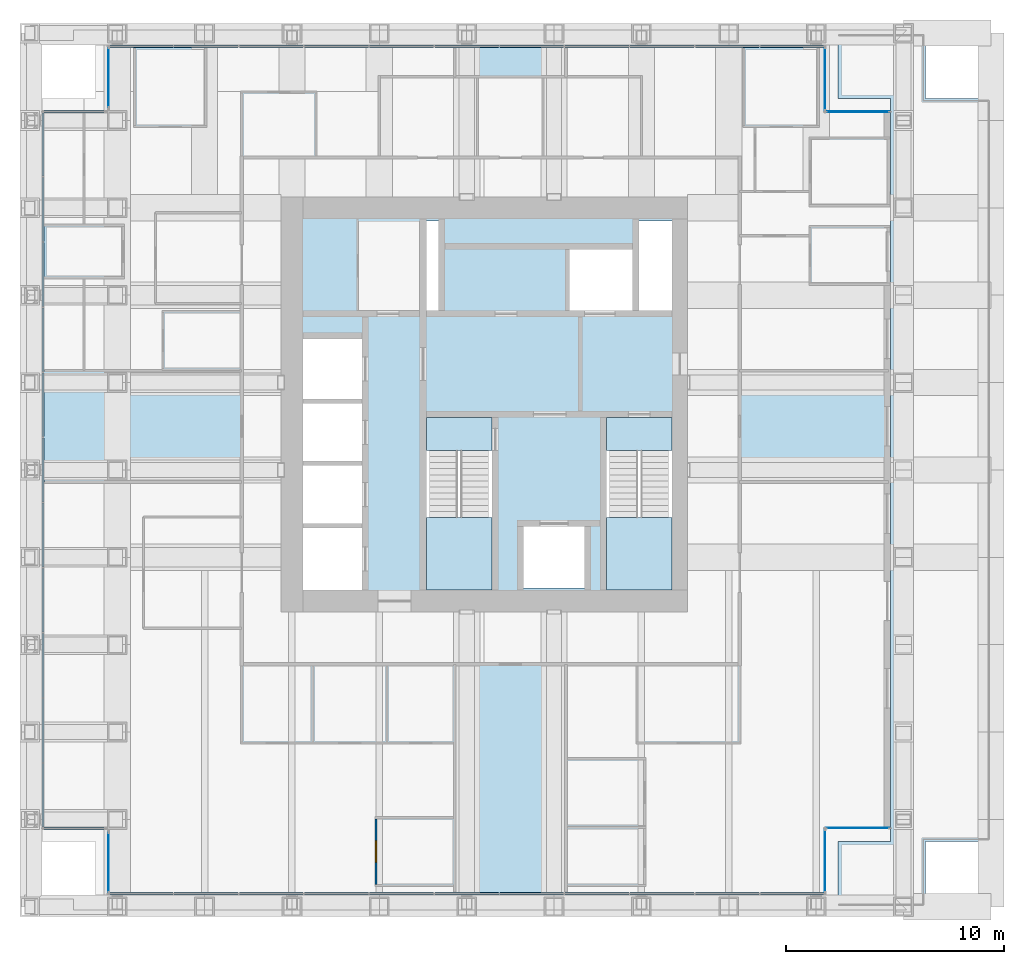
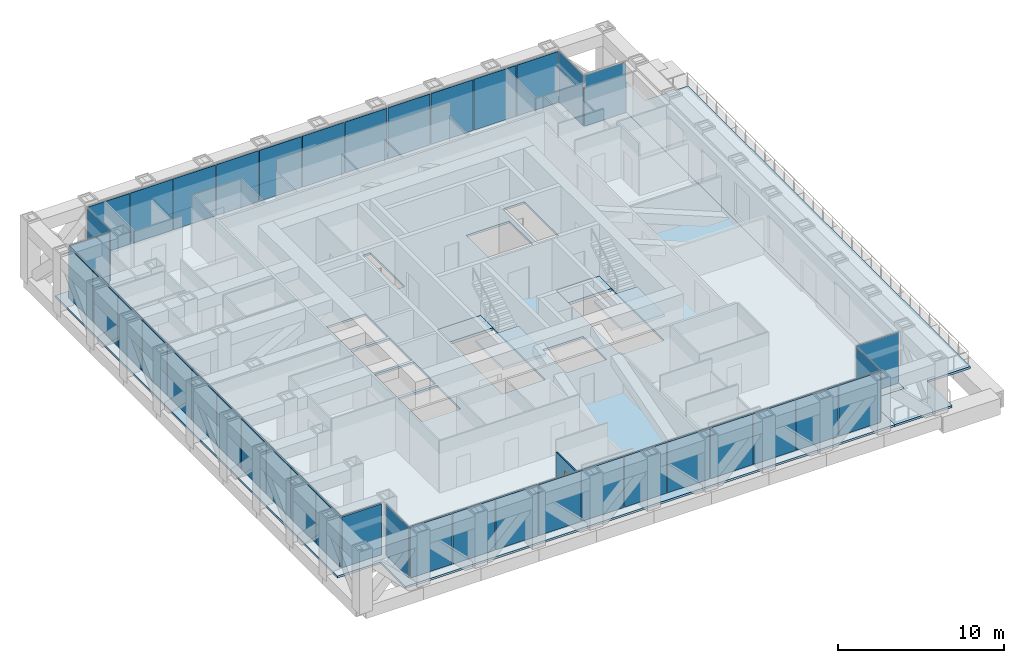
# One storey, part 8 of 14: 41 plates, 6 slabs, 1 door, 1 wall, 1 opening, 13 elements without a shape of their own.
"""IFC4 building model written with IfcOpenShell, lengths in metres."""

from ifc_helpers import new_model, si_unit, direction, frame, frame_2d, origin, origin_2d, place, context, subcontext, project, spatial, polyline, rectangle, outline, extrude, material, layer, layer_set, type_object, element, fill, aggregate, save


model = new_model("IFC4")

# Units and contexts
model_context = context("Model", 3, precision=1e-05, world=origin(), true_north=direction((0.0, 1.0)))
body_context = subcontext(model_context, "Body", "Model", "MODEL_VIEW")
ifc_project = project(units=[si_unit("LENGTHUNIT", "METRE"), si_unit("AREAUNIT", "SQUARE_METRE"), si_unit("VOLUMEUNIT", "CUBIC_METRE"), si_unit("PLANEANGLEUNIT", "RADIAN"), si_unit("MASSUNIT", "GRAM", prefix="KILO")], contexts=[model_context])

# Site, building, storey
site_placement = place(None, origin())
site = spatial("IfcSite", under=ifc_project, at=site_placement, CompositionType="ELEMENT")
building_placement = place(site_placement, origin())
building = spatial("IfcBuilding", under=site, at=building_placement, Name="Rimbunsela Tower", CompositionType="ELEMENT")
storey_placement = place(building_placement, frame((0.0, 0.0, 270.199951171875)))
storey = spatial("IfcBuildingStorey", under=building, at=storey_placement, Name="L65", CompositionType="ELEMENT", Elevation=270.199951171875)

# Slab
ifc_material_1 = material(Name="Concrete fc' 35 MPa", Category="concrete")
ifc_layer_1 = layer(ifc_material_1, 0.14990234375)
ifc_layer_set_1 = layer_set([ifc_layer_1], Name="Floor slab 150")
slab_type_1 = type_object("IfcSlabType", Name="Floor slab 150", PredefinedType="FLOOR", material=ifc_layer_set_1)
slab_1_placement = place(storey_placement, frame((0.0, 0.0, -0.14990234375)))
element("IfcSlab", 1, at=slab_1_placement, inside=storey, type_object=slab_type_1, Name="Floor slab L65", PredefinedType="FLOOR", context=body_context, shape_type="SweptSolid", body=[
    extrude(outline(polyline([(43.0, 7.0), (45.39990234375, 7.0), (45.39990234375, 41.0), (43.0, 41.0), (43.0, 44.0), (9.0, 44.0), (9.0, 41.0), (6.0, 41.0), (6.0, 7.0), (9.0, 7.0), (9.0, 4.0), (43.0, 4.0), (43.0, 7.0)]), holes=[polyline([(21.199951171875, 21.35009765625), (18.5, 21.35009765625), (18.5, 18.5), (21.199951171875, 18.5), (21.199951171875, 21.35009765625)]), polyline([(21.199951171875, 21.550048828125), (21.199951171875, 24.199951171875), (18.5, 24.199951171875), (18.5, 21.550048828125), (21.199951171875, 21.550048828125)]), polyline([(21.199951171875, 27.050048828125), (18.5, 27.050048828125), (18.5, 24.39990234375), (21.199951171875, 24.39990234375), (21.199951171875, 27.050048828125)]), polyline([(21.199951171875, 30.0), (18.5, 30.0), (18.5, 27.25), (21.199951171875, 27.25), (21.199951171875, 30.0)]), polyline([(27.14990234375, 26.39990234375), (24.14990234375, 26.39990234375), (24.14990234375, 18.60009765625), (27.14990234375, 18.60009765625), (27.14990234375, 26.39990234375)]), polyline([(24.699951171875, 31.300048828125), (24.699951171875, 35.39990234375), (24.14990234375, 35.39990234375), (24.14990234375, 31.300048828125), (24.699951171875, 31.300048828125)]), polyline([(31.39990234375, 21.39990234375), (28.60009765625, 21.39990234375), (28.60009765625, 18.60009765625), (31.39990234375, 18.60009765625), (31.39990234375, 21.39990234375)]), polyline([(33.60009765625, 34.10009765625), (30.60009765625, 34.10009765625), (30.60009765625, 31.300048828125), (33.60009765625, 31.300048828125), (33.60009765625, 34.10009765625)]), polyline([(35.39990234375, 18.60009765625), (35.39990234375, 26.39990234375), (32.39990234375, 26.39990234375), (32.39990234375, 18.60009765625), (35.39990234375, 18.60009765625)]), polyline([(35.39990234375, 31.300048828125), (35.39990234375, 35.39990234375), (33.89990234375, 35.39990234375), (33.89990234375, 31.300048828125), (35.39990234375, 31.300048828125)])]), origin(), (0.0, 0.0, 1.0), 0.14990234375),
])

# Curtain wall, plate
ifc_material_2 = material(Name="Aluminium curtain wall", Category="aluminium")
curtain_wall_type_1 = type_object("IfcCurtainWallType", Name="Corner glazing", PredefinedType="USERDEFINED", material=ifc_material_2)
curtain_wall_1_placement = place(storey_placement, origin())
curtain_wall_1 = element("IfcCurtainWall", 2, at=curtain_wall_1_placement, inside=storey, type_object=curtain_wall_type_1, Name="Corner glazing L65", ObjectType="CORNER GLAZING", PredefinedType="USERDEFINED")
ifc_material_3 = material(Name="Clear double glazing", Category="glass")
ifc_layer_2 = layer(ifc_material_3, 0.028076171875)
ifc_layer_set_2 = layer_set([ifc_layer_2], Name="Glazed panel clear")
plate_type_1 = type_object("IfcPlateType", Name="Glazed panel clear", PredefinedType="CURTAIN_PANEL", material=ifc_layer_set_2)
plate_1_placement = place(storey_placement, frame((42.39990234375, 6.10009765625, 0.06005859375), z_axis=(0.0, 0.0, 1.0), x_axis=(0.0, 1.0, 0.0)))
plate_1 = element("IfcPlate", 3, at=plate_1_placement, type_object=plate_type_1, Name="CW5 panel 1.1", PredefinedType="CURTAIN_PANEL", context=body_context, shape_type="SweptSolid", body=[
    extrude(rectangle(XDim=2.8798828125, YDim=0.028076171875, at=origin_2d()), origin(), (0.0, 0.0, 1.0), 3.72998046875),
])
aggregate(curtain_wall_1, [plate_1])

curtain_wall_2_placement = place(storey_placement, origin())
curtain_wall_2 = element("IfcCurtainWall", 4, at=curtain_wall_2_placement, inside=storey, type_object=curtain_wall_type_1, Name="Corner glazing L65", ObjectType="CORNER GLAZING", PredefinedType="USERDEFINED")
plate_2_placement = place(storey_placement, frame((43.89990234375, 7.60009765625, 0.06005859375), z_axis=(0.0, 0.0, 1.0), x_axis=(1.0, 0.0, 0.0)))
plate_2 = element("IfcPlate", 5, at=plate_2_placement, type_object=plate_type_1, Name="CW5 panel 1.1", PredefinedType="CURTAIN_PANEL", context=body_context, shape_type="SweptSolid", body=[
    extrude(rectangle(XDim=2.8798828125, YDim=0.028076171875, at=origin_2d()), origin(), (0.0, 0.0, 1.0), 3.72998046875),
])
aggregate(curtain_wall_2, [plate_2])

curtain_wall_3_placement = place(storey_placement, origin())
curtain_wall_3 = element("IfcCurtainWall", 6, at=curtain_wall_3_placement, inside=storey, type_object=curtain_wall_type_1, Name="Corner glazing L65", ObjectType="CORNER GLAZING", PredefinedType="USERDEFINED")
plate_3_placement = place(storey_placement, frame((43.89990234375, 40.39990234375, 0.06005859375), z_axis=(0.0, 0.0, 1.0), x_axis=(-1.0, 0.0, 0.0)))
plate_3 = element("IfcPlate", 7, at=plate_3_placement, type_object=plate_type_1, Name="CW5 panel 1.1", PredefinedType="CURTAIN_PANEL", context=body_context, shape_type="SweptSolid", body=[
    extrude(rectangle(XDim=2.8798828125, YDim=0.028076171875, at=origin_2d()), origin(), (0.0, 0.0, 1.0), 3.72998046875),
])
aggregate(curtain_wall_3, [plate_3])

curtain_wall_4_placement = place(storey_placement, origin())
curtain_wall_4 = element("IfcCurtainWall", 8, at=curtain_wall_4_placement, inside=storey, type_object=curtain_wall_type_1, Name="Corner glazing L65", ObjectType="CORNER GLAZING", PredefinedType="USERDEFINED")
plate_4_placement = place(storey_placement, frame((42.39990234375, 41.89990234375, 0.06005859375), z_axis=(0.0, 0.0, 1.0), x_axis=(0.0, 1.0, 0.0)))
plate_4 = element("IfcPlate", 9, at=plate_4_placement, type_object=plate_type_1, Name="CW5 panel 1.1", PredefinedType="CURTAIN_PANEL", context=body_context, shape_type="SweptSolid", body=[
    extrude(rectangle(XDim=2.8798828125, YDim=0.028076171875, at=origin_2d()), origin(), (0.0, 0.0, 1.0), 3.72998046875),
])
aggregate(curtain_wall_4, [plate_4])

curtain_wall_5_placement = place(storey_placement, origin())
curtain_wall_5 = element("IfcCurtainWall", 10, at=curtain_wall_5_placement, inside=storey, type_object=curtain_wall_type_1, Name="Corner glazing L65", ObjectType="CORNER GLAZING", PredefinedType="USERDEFINED")
plate_5_placement = place(storey_placement, frame((9.60009765625, 41.97509765625, 0.06005859375), z_axis=(0.0, 0.0, 1.0), x_axis=(0.0, -1.0, 0.0)))
plate_5 = element("IfcPlate", 11, at=plate_5_placement, type_object=plate_type_1, Name="CW5 panel 1.1", PredefinedType="CURTAIN_PANEL", context=body_context, shape_type="SweptSolid", body=[
    extrude(rectangle(XDim=2.72998046875, YDim=0.028076171875, at=origin_2d()), origin(), (0.0, 0.0, 1.0), 3.72998046875),
])
aggregate(curtain_wall_5, [plate_5])

curtain_wall_6_placement = place(storey_placement, origin())
curtain_wall_6 = element("IfcCurtainWall", 12, at=curtain_wall_6_placement, inside=storey, type_object=curtain_wall_type_1, Name="Corner glazing L65", ObjectType="CORNER GLAZING", PredefinedType="USERDEFINED")
plate_6_placement = place(storey_placement, frame((9.60009765625, 6.02490234375, 0.06005859375), z_axis=(0.0, 0.0, 1.0), x_axis=(0.0, -1.0, 0.0)))
plate_6 = element("IfcPlate", 13, at=plate_6_placement, type_object=plate_type_1, Name="CW5 panel 1.1", PredefinedType="CURTAIN_PANEL", context=body_context, shape_type="SweptSolid", body=[
    extrude(rectangle(XDim=2.72998046875, YDim=0.028076171875, at=origin_2d()), origin(), (0.0, 0.0, 1.0), 3.72998046875),
])
aggregate(curtain_wall_6, [plate_6])

# Curtain wall, plates
ifc_material_4 = material(Name="Aluminium curtain wall", Category="aluminium")
curtain_wall_type_2 = type_object("IfcCurtainWallType", Name="Exoskeleton storey infill", PredefinedType="USERDEFINED", material=ifc_material_4)
curtain_wall_7_placement = place(storey_placement, origin())
curtain_wall_7 = element("IfcCurtainWall", 14, at=curtain_wall_7_placement, inside=storey, type_object=curtain_wall_type_2, Name="Exoskeleton storey infill L65", ObjectType="EXOSKELETON STOREY INFILL", PredefinedType="USERDEFINED")
ifc_material_5 = material(Name="Insulated aluminium spandrel panel", Category="aluminium")
ifc_layer_3 = layer(ifc_material_5, 0.10009765625)
ifc_layer_set_3 = layer_set([ifc_layer_3], Name="Insulated panel 100")
plate_type_2 = type_object("IfcPlateType", Name="Insulated panel 100", PredefinedType="CURTAIN_PANEL", material=ifc_layer_set_3)
plate_7_placement = place(storey_placement, frame((40.89404296875, 43.39990234375, 0.06005859375), z_axis=(0.0, 0.0, 1.0), x_axis=(-1.0, 0.0, 0.0)))
plate_7 = element("IfcPlate", 15, at=plate_7_placement, type_object=plate_type_2, Name="CW2 panel 1.1", PredefinedType="CURTAIN_PANEL", context=body_context, shape_type="SweptSolid", body=[
    extrude(rectangle(XDim=2.891845703125, YDim=0.10009765625, at=origin_2d()), origin(), (0.0, 0.0, 1.0), 3.72998046875),
])
plate_8_placement = place(storey_placement, frame((37.92724609375, 43.39990234375, 0.06005859375), z_axis=(0.0, 0.0, 1.0), x_axis=(-1.0, 0.0, 0.0)))
plate_8 = element("IfcPlate", 16, at=plate_8_placement, type_object=plate_type_2, Name="CW2 panel 2.1", PredefinedType="CURTAIN_PANEL", context=body_context, shape_type="SweptSolid", body=[
    extrude(rectangle(XDim=2.921875, YDim=0.10009765625, at=origin_2d()), origin(), (0.0, 0.0, 1.0), 3.72998046875),
])
plate_9_placement = place(storey_placement, frame((34.945556640625, 43.39990234375, 0.06005859375), z_axis=(0.0, 0.0, 1.0), x_axis=(-1.0, 0.0, 0.0)))
plate_9 = element("IfcPlate", 17, at=plate_9_placement, type_object=plate_type_2, Name="CW2 panel 3.1", PredefinedType="CURTAIN_PANEL", context=body_context, shape_type="SweptSolid", body=[
    extrude(rectangle(XDim=2.921875, YDim=0.10009765625, at=origin_2d()), origin(), (0.0, 0.0, 1.0), 3.72998046875),
])
plate_10_placement = place(storey_placement, frame((31.963623046875, 43.39990234375, 0.06005859375), z_axis=(0.0, 0.0, 1.0), x_axis=(-1.0, 0.0, 0.0)))
plate_10 = element("IfcPlate", 18, at=plate_10_placement, type_object=plate_type_2, Name="CW2 panel 4.1", PredefinedType="CURTAIN_PANEL", context=body_context, shape_type="SweptSolid", body=[
    extrude(rectangle(XDim=2.921875, YDim=0.10009765625, at=origin_2d()), origin(), (0.0, 0.0, 1.0), 3.72998046875),
])
plate_11_placement = place(storey_placement, frame((28.98193359375, 43.39990234375, 0.06005859375), z_axis=(0.0, 0.0, 1.0), x_axis=(-1.0, 0.0, 0.0)))
plate_11 = element("IfcPlate", 19, at=plate_11_placement, type_object=plate_type_2, Name="CW2 panel 5.1", PredefinedType="CURTAIN_PANEL", context=body_context, shape_type="SweptSolid", body=[
    extrude(rectangle(XDim=2.921875, YDim=0.10009765625, at=origin_2d()), origin(), (0.0, 0.0, 1.0), 3.72998046875),
])
plate_12_placement = place(storey_placement, frame((26.0, 43.39990234375, 0.06005859375), z_axis=(0.0, 0.0, 1.0), x_axis=(-1.0, 0.0, 0.0)))
plate_12 = element("IfcPlate", 20, at=plate_12_placement, type_object=plate_type_2, Name="CW2 panel 6.1", PredefinedType="CURTAIN_PANEL", context=body_context, shape_type="SweptSolid", body=[
    extrude(rectangle(XDim=2.921875, YDim=0.10009765625, at=origin_2d()), origin(), (0.0, 0.0, 1.0), 3.72998046875),
])
plate_13_placement = place(storey_placement, frame((23.01806640625, 43.39990234375, 0.06005859375), z_axis=(0.0, 0.0, 1.0), x_axis=(-1.0, 0.0, 0.0)))
plate_13 = element("IfcPlate", 21, at=plate_13_placement, type_object=plate_type_2, Name="CW2 panel 7.1", PredefinedType="CURTAIN_PANEL", context=body_context, shape_type="SweptSolid", body=[
    extrude(rectangle(XDim=2.921875, YDim=0.10009765625, at=origin_2d()), origin(), (0.0, 0.0, 1.0), 3.72998046875),
])
plate_14_placement = place(storey_placement, frame((20.036376953125, 43.39990234375, 0.06005859375), z_axis=(0.0, 0.0, 1.0), x_axis=(-1.0, 0.0, 0.0)))
plate_14 = element("IfcPlate", 22, at=plate_14_placement, type_object=plate_type_2, Name="CW2 panel 8.1", PredefinedType="CURTAIN_PANEL", context=body_context, shape_type="SweptSolid", body=[
    extrude(rectangle(XDim=2.921875, YDim=0.10009765625, at=origin_2d()), origin(), (0.0, 0.0, 1.0), 3.72998046875),
])
plate_15_placement = place(storey_placement, frame((17.054443359375, 43.39990234375, 0.06005859375), z_axis=(0.0, 0.0, 1.0), x_axis=(-1.0, 0.0, 0.0)))
plate_15 = element("IfcPlate", 23, at=plate_15_placement, type_object=plate_type_2, Name="CW2 panel 9.1", PredefinedType="CURTAIN_PANEL", context=body_context, shape_type="SweptSolid", body=[
    extrude(rectangle(XDim=2.921875, YDim=0.10009765625, at=origin_2d()), origin(), (0.0, 0.0, 1.0), 3.72998046875),
])
plate_16_placement = place(storey_placement, frame((14.07275390625, 43.39990234375, 0.06005859375), z_axis=(0.0, 0.0, 1.0), x_axis=(-1.0, 0.0, 0.0)))
plate_16 = element("IfcPlate", 24, at=plate_16_placement, type_object=plate_type_2, Name="CW2 panel 10.1", PredefinedType="CURTAIN_PANEL", context=body_context, shape_type="SweptSolid", body=[
    extrude(rectangle(XDim=2.921875, YDim=0.10009765625, at=origin_2d()), origin(), (0.0, 0.0, 1.0), 3.72998046875),
])
plate_17_placement = place(storey_placement, frame((11.10595703125, 43.39990234375, 0.06005859375), z_axis=(0.0, 0.0, 1.0), x_axis=(-1.0, 0.0, 0.0)))
plate_17 = element("IfcPlate", 25, at=plate_17_placement, type_object=plate_type_2, Name="CW2 panel 11.1", PredefinedType="CURTAIN_PANEL", context=body_context, shape_type="SweptSolid", body=[
    extrude(rectangle(XDim=2.891845703125, YDim=0.10009765625, at=origin_2d()), origin(), (0.0, 0.0, 1.0), 3.72998046875),
])
aggregate(curtain_wall_7, [plate_7, plate_8, plate_9, plate_10, plate_11, plate_12, plate_13, plate_14, plate_15, plate_16, plate_17])

# Curtain wall, plate
ifc_material_6 = material(Name="Aluminium curtain wall", Category="aluminium")
curtain_wall_type_3 = type_object("IfcCurtainWallType", Name="Spandrel wall", PredefinedType="USERDEFINED", material=ifc_material_6)
curtain_wall_8_placement = place(storey_placement, origin())
curtain_wall_8 = element("IfcCurtainWall", 26, at=curtain_wall_8_placement, inside=storey, type_object=curtain_wall_type_3, Name="Spandrel wall L65", ObjectType="SPANDREL WALL", PredefinedType="USERDEFINED")
plate_18_placement = place(storey_placement, frame((8.02490234375, 40.39990234375, 0.06005859375), z_axis=(0.0, 0.0, 1.0), x_axis=(-1.0, 0.0, 0.0)))
plate_18 = element("IfcPlate", 27, at=plate_18_placement, type_object=plate_type_2, Name="CW7 panel 1.1", PredefinedType="CURTAIN_PANEL", context=body_context, shape_type="SweptSolid", body=[
    extrude(rectangle(XDim=2.72998046875, YDim=0.10009765625, at=origin_2d()), origin(), (0.0, 0.0, 1.0), 3.72998046875),
])
aggregate(curtain_wall_8, [plate_18])

# Curtain wall, plates
curtain_wall_9_placement = place(storey_placement, origin())
curtain_wall_9 = element("IfcCurtainWall", 28, at=curtain_wall_9_placement, inside=storey, type_object=curtain_wall_type_2, Name="Exoskeleton storey infill L65", ObjectType="EXOSKELETON STOREY INFILL", PredefinedType="USERDEFINED")
plate_19_placement = place(storey_placement, frame((6.60009765625, 38.89404296875, 0.06005859375), z_axis=(0.0, 0.0, 1.0), x_axis=(0.0, -1.0, 0.0)))
plate_19 = element("IfcPlate", 29, at=plate_19_placement, type_object=plate_type_2, Name="CW2 panel 1.1", PredefinedType="CURTAIN_PANEL", context=body_context, shape_type="SweptSolid", body=[
    extrude(rectangle(XDim=2.891845703125, YDim=0.10009765625, at=origin_2d()), origin(), (0.0, 0.0, 1.0), 3.72998046875),
])
plate_20_placement = place(storey_placement, frame((6.60009765625, 35.92724609375, 0.06005859375), z_axis=(0.0, 0.0, 1.0), x_axis=(0.0, -1.0, 0.0)))
plate_20 = element("IfcPlate", 30, at=plate_20_placement, type_object=plate_type_2, Name="CW2 panel 2.1", PredefinedType="CURTAIN_PANEL", context=body_context, shape_type="SweptSolid", body=[
    extrude(rectangle(XDim=2.921875, YDim=0.10009765625, at=origin_2d()), origin(), (0.0, 0.0, 1.0), 3.72998046875),
])
plate_21_placement = place(storey_placement, frame((6.60009765625, 32.945556640625, 0.06005859375), z_axis=(0.0, 0.0, 1.0), x_axis=(0.0, -1.0, 0.0)))
plate_21 = element("IfcPlate", 31, at=plate_21_placement, type_object=plate_type_2, Name="CW2 panel 3.1", PredefinedType="CURTAIN_PANEL", context=body_context, shape_type="SweptSolid", body=[
    extrude(rectangle(XDim=2.921875, YDim=0.10009765625, at=origin_2d()), origin(), (0.0, 0.0, 1.0), 3.72998046875),
])
plate_22_placement = place(storey_placement, frame((6.60009765625, 29.963623046875, 0.06005859375), z_axis=(0.0, 0.0, 1.0), x_axis=(0.0, -1.0, 0.0)))
plate_22 = element("IfcPlate", 32, at=plate_22_placement, type_object=plate_type_2, Name="CW2 panel 4.1", PredefinedType="CURTAIN_PANEL", context=body_context, shape_type="SweptSolid", body=[
    extrude(rectangle(XDim=2.921875, YDim=0.10009765625, at=origin_2d()), origin(), (0.0, 0.0, 1.0), 3.72998046875),
])
plate_23_placement = place(storey_placement, frame((6.60009765625, 26.98193359375, 0.06005859375), z_axis=(0.0, 0.0, 1.0), x_axis=(0.0, -1.0, 0.0)))
plate_23 = element("IfcPlate", 33, at=plate_23_placement, type_object=plate_type_2, Name="CW2 panel 5.1", PredefinedType="CURTAIN_PANEL", context=body_context, shape_type="SweptSolid", body=[
    extrude(rectangle(XDim=2.921875, YDim=0.10009765625, at=origin_2d()), origin(), (0.0, 0.0, 1.0), 3.72998046875),
])
plate_24_placement = place(storey_placement, frame((6.60009765625, 24.0, 0.06005859375), z_axis=(0.0, 0.0, 1.0), x_axis=(0.0, -1.0, 0.0)))
plate_24 = element("IfcPlate", 34, at=plate_24_placement, type_object=plate_type_2, Name="CW2 panel 6.1", PredefinedType="CURTAIN_PANEL", context=body_context, shape_type="SweptSolid", body=[
    extrude(rectangle(XDim=2.921875, YDim=0.10009765625, at=origin_2d()), origin(), (0.0, 0.0, 1.0), 3.72998046875),
])
plate_25_placement = place(storey_placement, frame((6.60009765625, 21.01806640625, 0.06005859375), z_axis=(0.0, 0.0, 1.0), x_axis=(0.0, -1.0, 0.0)))
plate_25 = element("IfcPlate", 35, at=plate_25_placement, type_object=plate_type_2, Name="CW2 panel 7.1", PredefinedType="CURTAIN_PANEL", context=body_context, shape_type="SweptSolid", body=[
    extrude(rectangle(XDim=2.921875, YDim=0.10009765625, at=origin_2d()), origin(), (0.0, 0.0, 1.0), 3.72998046875),
])
plate_26_placement = place(storey_placement, frame((6.60009765625, 18.036376953125, 0.06005859375), z_axis=(0.0, 0.0, 1.0), x_axis=(0.0, -1.0, 0.0)))
plate_26 = element("IfcPlate", 36, at=plate_26_placement, type_object=plate_type_2, Name="CW2 panel 8.1", PredefinedType="CURTAIN_PANEL", context=body_context, shape_type="SweptSolid", body=[
    extrude(rectangle(XDim=2.921875, YDim=0.10009765625, at=origin_2d()), origin(), (0.0, 0.0, 1.0), 3.72998046875),
])
plate_27_placement = place(storey_placement, frame((6.60009765625, 15.054443359375, 0.06005859375), z_axis=(0.0, 0.0, 1.0), x_axis=(0.0, -1.0, 0.0)))
plate_27 = element("IfcPlate", 37, at=plate_27_placement, type_object=plate_type_2, Name="CW2 panel 9.1", PredefinedType="CURTAIN_PANEL", context=body_context, shape_type="SweptSolid", body=[
    extrude(rectangle(XDim=2.921875, YDim=0.10009765625, at=origin_2d()), origin(), (0.0, 0.0, 1.0), 3.72998046875),
])
plate_28_placement = place(storey_placement, frame((6.60009765625, 12.07275390625, 0.06005859375), z_axis=(0.0, 0.0, 1.0), x_axis=(0.0, -1.0, 0.0)))
plate_28 = element("IfcPlate", 38, at=plate_28_placement, type_object=plate_type_2, Name="CW2 panel 10.1", PredefinedType="CURTAIN_PANEL", context=body_context, shape_type="SweptSolid", body=[
    extrude(rectangle(XDim=2.921875, YDim=0.10009765625, at=origin_2d()), origin(), (0.0, 0.0, 1.0), 3.72998046875),
])
plate_29_placement = place(storey_placement, frame((6.60009765625, 9.10595703125, 0.06005859375), z_axis=(0.0, 0.0, 1.0), x_axis=(0.0, -1.0, 0.0)))
plate_29 = element("IfcPlate", 39, at=plate_29_placement, type_object=plate_type_2, Name="CW2 panel 11.1", PredefinedType="CURTAIN_PANEL", context=body_context, shape_type="SweptSolid", body=[
    extrude(rectangle(XDim=2.891845703125, YDim=0.10009765625, at=origin_2d()), origin(), (0.0, 0.0, 1.0), 3.72998046875),
])
aggregate(curtain_wall_9, [plate_19, plate_20, plate_21, plate_22, plate_23, plate_24, plate_25, plate_26, plate_27, plate_28, plate_29])

# Curtain wall, plate
curtain_wall_10_placement = place(storey_placement, origin())
curtain_wall_10 = element("IfcCurtainWall", 40, at=curtain_wall_10_placement, inside=storey, type_object=curtain_wall_type_3, Name="Spandrel wall L65", ObjectType="SPANDREL WALL", PredefinedType="USERDEFINED")
plate_30_placement = place(storey_placement, frame((8.02490234375, 7.60009765625, 0.06005859375), z_axis=(0.0, 0.0, 1.0), x_axis=(1.0, 0.0, 0.0)))
plate_30 = element("IfcPlate", 41, at=plate_30_placement, type_object=plate_type_2, Name="CW7 panel 1.1", PredefinedType="CURTAIN_PANEL", context=body_context, shape_type="SweptSolid", body=[
    extrude(rectangle(XDim=2.72998046875, YDim=0.10009765625, at=origin_2d()), origin(), (0.0, 0.0, 1.0), 3.72998046875),
])
aggregate(curtain_wall_10, [plate_30])

# Curtain wall, plates
curtain_wall_11_placement = place(storey_placement, origin())
curtain_wall_11 = element("IfcCurtainWall", 42, at=curtain_wall_11_placement, inside=storey, type_object=curtain_wall_type_2, Name="Exoskeleton storey infill L65", ObjectType="EXOSKELETON STOREY INFILL", PredefinedType="USERDEFINED")
plate_31_placement = place(storey_placement, frame((11.10595703125, 4.60009765625, 0.06005859375), z_axis=(0.0, 0.0, 1.0), x_axis=(1.0, 0.0, 0.0)))
plate_31 = element("IfcPlate", 43, at=plate_31_placement, type_object=plate_type_2, Name="CW2 panel 1.1", PredefinedType="CURTAIN_PANEL", context=body_context, shape_type="SweptSolid", body=[
    extrude(rectangle(XDim=2.891845703125, YDim=0.10009765625, at=origin_2d()), origin(), (0.0, 0.0, 1.0), 3.72998046875),
])
plate_32_placement = place(storey_placement, frame((14.07275390625, 4.60009765625, 0.06005859375), z_axis=(0.0, 0.0, 1.0), x_axis=(1.0, 0.0, 0.0)))
plate_32 = element("IfcPlate", 44, at=plate_32_placement, type_object=plate_type_2, Name="CW2 panel 2.1", PredefinedType="CURTAIN_PANEL", context=body_context, shape_type="SweptSolid", body=[
    extrude(rectangle(XDim=2.921875, YDim=0.10009765625, at=origin_2d()), origin(), (0.0, 0.0, 1.0), 3.72998046875),
])
plate_33_placement = place(storey_placement, frame((17.054443359375, 4.60009765625, 0.06005859375), z_axis=(0.0, 0.0, 1.0), x_axis=(1.0, 0.0, 0.0)))
plate_33 = element("IfcPlate", 45, at=plate_33_placement, type_object=plate_type_2, Name="CW2 panel 3.1", PredefinedType="CURTAIN_PANEL", context=body_context, shape_type="SweptSolid", body=[
    extrude(rectangle(XDim=2.921875, YDim=0.10009765625, at=origin_2d()), origin(), (0.0, 0.0, 1.0), 3.72998046875),
])
plate_34_placement = place(storey_placement, frame((20.036376953125, 4.60009765625, 0.06005859375), z_axis=(0.0, 0.0, 1.0), x_axis=(1.0, 0.0, 0.0)))
plate_34 = element("IfcPlate", 46, at=plate_34_placement, type_object=plate_type_2, Name="CW2 panel 4.1", PredefinedType="CURTAIN_PANEL", context=body_context, shape_type="SweptSolid", body=[
    extrude(rectangle(XDim=2.921875, YDim=0.10009765625, at=origin_2d()), origin(), (0.0, 0.0, 1.0), 3.72998046875),
])
plate_35_placement = place(storey_placement, frame((23.01806640625, 4.60009765625, 0.06005859375), z_axis=(0.0, 0.0, 1.0), x_axis=(1.0, 0.0, 0.0)))
plate_35 = element("IfcPlate", 47, at=plate_35_placement, type_object=plate_type_2, Name="CW2 panel 5.1", PredefinedType="CURTAIN_PANEL", context=body_context, shape_type="SweptSolid", body=[
    extrude(rectangle(XDim=2.921875, YDim=0.10009765625, at=origin_2d()), origin(), (0.0, 0.0, 1.0), 3.72998046875),
])
plate_36_placement = place(storey_placement, frame((26.0, 4.60009765625, 0.06005859375), z_axis=(0.0, 0.0, 1.0), x_axis=(1.0, 0.0, 0.0)))
plate_36 = element("IfcPlate", 48, at=plate_36_placement, type_object=plate_type_2, Name="CW2 panel 6.1", PredefinedType="CURTAIN_PANEL", context=body_context, shape_type="SweptSolid", body=[
    extrude(rectangle(XDim=2.921875, YDim=0.10009765625, at=origin_2d()), origin(), (0.0, 0.0, 1.0), 3.72998046875),
])
plate_37_placement = place(storey_placement, frame((28.98193359375, 4.60009765625, 0.06005859375), z_axis=(0.0, 0.0, 1.0), x_axis=(1.0, 0.0, 0.0)))
plate_37 = element("IfcPlate", 49, at=plate_37_placement, type_object=plate_type_2, Name="CW2 panel 7.1", PredefinedType="CURTAIN_PANEL", context=body_context, shape_type="SweptSolid", body=[
    extrude(rectangle(XDim=2.921875, YDim=0.10009765625, at=origin_2d()), origin(), (0.0, 0.0, 1.0), 3.72998046875),
])
plate_38_placement = place(storey_placement, frame((31.963623046875, 4.60009765625, 0.06005859375), z_axis=(0.0, 0.0, 1.0), x_axis=(1.0, 0.0, 0.0)))
plate_38 = element("IfcPlate", 50, at=plate_38_placement, type_object=plate_type_2, Name="CW2 panel 8.1", PredefinedType="CURTAIN_PANEL", context=body_context, shape_type="SweptSolid", body=[
    extrude(rectangle(XDim=2.921875, YDim=0.10009765625, at=origin_2d()), origin(), (0.0, 0.0, 1.0), 3.72998046875),
])
plate_39_placement = place(storey_placement, frame((34.945556640625, 4.60009765625, 0.06005859375), z_axis=(0.0, 0.0, 1.0), x_axis=(1.0, 0.0, 0.0)))
plate_39 = element("IfcPlate", 51, at=plate_39_placement, type_object=plate_type_2, Name="CW2 panel 9.1", PredefinedType="CURTAIN_PANEL", context=body_context, shape_type="SweptSolid", body=[
    extrude(rectangle(XDim=2.921875, YDim=0.10009765625, at=origin_2d()), origin(), (0.0, 0.0, 1.0), 3.72998046875),
])
plate_40_placement = place(storey_placement, frame((37.92724609375, 4.60009765625, 0.06005859375), z_axis=(0.0, 0.0, 1.0), x_axis=(1.0, 0.0, 0.0)))
plate_40 = element("IfcPlate", 52, at=plate_40_placement, type_object=plate_type_2, Name="CW2 panel 10.1", PredefinedType="CURTAIN_PANEL", context=body_context, shape_type="SweptSolid", body=[
    extrude(rectangle(XDim=2.921875, YDim=0.10009765625, at=origin_2d()), origin(), (0.0, 0.0, 1.0), 3.72998046875),
])
plate_41_placement = place(storey_placement, frame((40.89404296875, 4.60009765625, 0.06005859375), z_axis=(0.0, 0.0, 1.0), x_axis=(1.0, 0.0, 0.0)))
plate_41 = element("IfcPlate", 53, at=plate_41_placement, type_object=plate_type_2, Name="CW2 panel 11.1", PredefinedType="CURTAIN_PANEL", context=body_context, shape_type="SweptSolid", body=[
    extrude(rectangle(XDim=2.891845703125, YDim=0.10009765625, at=origin_2d()), origin(), (0.0, 0.0, 1.0), 3.72998046875),
])
aggregate(curtain_wall_11, [plate_31, plate_32, plate_33, plate_34, plate_35, plate_36, plate_37, plate_38, plate_39, plate_40, plate_41])

# Stair, slabs
ifc_material_7 = material(Name="Concrete fc' 35 MPa", Category="concrete")
stair_type = type_object("IfcStairType", Name="Exit stair 24 risers", PredefinedType="HALF_TURN_STAIR", material=ifc_material_7)
stair_1_placement = place(storey_placement, origin())
stair_1 = element("IfcStair", 54, at=stair_1_placement, inside=storey, type_object=stair_type, Name="Exit stair A L65", PredefinedType="HALF_TURN_STAIR")
ifc_material_8 = material(Name="Concrete fc' 35 MPa", Category="concrete")
ifc_layer_4 = layer(ifc_material_8, 0.199951171875)
ifc_layer_set_4 = layer_set([ifc_layer_4], Name="Stair landing 200")
slab_type_2 = type_object("IfcSlabType", Name="Stair landing 200", PredefinedType="LANDING", material=ifc_layer_set_4)
slab_2_placement = place(storey_placement, frame((0.0, 0.0, -0.199951171875)))
slab_2 = element("IfcSlab", 55, at=slab_2_placement, type_object=slab_type_2, Name="ST-A landing 1", PredefinedType="LANDING", context=body_context, shape_type="SweptSolid", body=[
    extrude(outline(polyline([(24.14990234375, 24.89990234375), (27.14990234375, 24.89990234375), (27.14990234375, 26.39990234375), (24.14990234375, 26.39990234375), (24.14990234375, 24.89990234375)])), origin(), (0.0, 0.0, 1.0), 0.199951171875),
])
slab_3_placement = place(storey_placement, frame((0.0, 0.0, 1.800048828125)))
slab_3 = element("IfcSlab", 56, at=slab_3_placement, type_object=slab_type_2, Name="ST-A landing 2", PredefinedType="LANDING", context=body_context, shape_type="SweptSolid", body=[
    extrude(outline(polyline([(24.14990234375, 18.5), (27.14990234375, 18.5), (27.14990234375, 21.820068359375), (24.14990234375, 21.820068359375), (24.14990234375, 18.5)])), origin(), (0.0, 0.0, 1.0), 0.199951171875),
])
aggregate(stair_1, [slab_2, slab_3])

stair_2_placement = place(storey_placement, origin())
stair_2 = element("IfcStair", 57, at=stair_2_placement, inside=storey, type_object=stair_type, Name="Exit stair B L65", PredefinedType="HALF_TURN_STAIR")
slab_4_placement = place(storey_placement, frame((0.0, 0.0, -0.199951171875)))
slab_4 = element("IfcSlab", 58, at=slab_4_placement, type_object=slab_type_2, Name="ST-B landing 1", PredefinedType="LANDING", context=body_context, shape_type="SweptSolid", body=[
    extrude(outline(polyline([(32.39990234375, 24.89990234375), (35.39990234375, 24.89990234375), (35.39990234375, 26.39990234375), (32.39990234375, 26.39990234375), (32.39990234375, 24.89990234375)])), origin(), (0.0, 0.0, 1.0), 0.199951171875),
])
slab_5_placement = place(storey_placement, frame((0.0, 0.0, 1.800048828125)))
slab_5 = element("IfcSlab", 59, at=slab_5_placement, type_object=slab_type_2, Name="ST-B landing 2", PredefinedType="LANDING", context=body_context, shape_type="SweptSolid", body=[
    extrude(outline(polyline([(32.39990234375, 18.5), (35.39990234375, 18.5), (35.39990234375, 21.820068359375), (32.39990234375, 21.820068359375), (32.39990234375, 18.5)])), origin(), (0.0, 0.0, 1.0), 0.199951171875),
])
aggregate(stair_2, [slab_4, slab_5])

# Slab
ifc_material_9 = material(Name="Concrete fc' 35 MPa", Category="concrete")
ifc_layer_5 = layer(ifc_material_9, 0.14990234375)
ifc_layer_set_5 = layer_set([ifc_layer_5], Name="Terrace slab 150")
slab_type_3 = type_object("IfcSlabType", Name="Terrace slab 150", PredefinedType="ROOF", material=ifc_layer_set_5)
slab_6_placement = place(storey_placement, frame((0.0, 0.0, -0.14990234375)))
element("IfcSlab", 60, at=slab_6_placement, inside=storey, type_object=slab_type_3, Name="Terrace L65", PredefinedType="ROOF", context=body_context, shape_type="SweptSolid", body=[
    extrude(outline(polyline([(47.0, 44.0), (47.0, 41.0), (50.0, 41.0), (50.0, 7.0), (47.0, 7.0), (47.0, 4.0), (43.0, 4.0), (43.0, 7.0), (45.39990234375, 7.0), (45.39990234375, 41.0), (43.0, 41.0), (43.0, 44.0), (47.0, 44.0)])), origin(), (0.0, 0.0, 1.0), 0.14990234375),
])

# Wall, opening, door
ifc_material_10 = material(Name="Gypsum board on steel studs", Category="steel")
ifc_layer_6 = layer(ifc_material_10, 0.10009765625)
ifc_layer_set_6 = layer_set([ifc_layer_6], Name="Office partition 100")
wall_type = type_object("IfcWallType", Name="Office partition 100", PredefinedType="PARTITIONING", material=ifc_layer_set_6)
wall_placement = place(storey_placement, frame((21.85009765625, 5.030029296875, 0.0), z_axis=(0.0, 0.0, 1.0), x_axis=(0.0, 1.0, 0.0)))
wall = element("IfcWall", 61, at=wall_placement, inside=storey, type_object=wall_type, Name="Office partition", PredefinedType="PARTITIONING", context=body_context, shape_type="SweptSolid", body=[
    extrude(rectangle(XDim=3.0, YDim=0.10009765625, at=frame_2d((1.5, 0.0))), origin(), (0.0, 0.0, 1.0), 2.949951171875),
])
opening_placement = place(wall_placement, frame((1.0, 0.0, 0.0)))
opening = element("IfcOpeningElement", 62, at=opening_placement, cuts=wall, Name="Opening D16", PredefinedType="OPENING", context=body_context, shape_type="SweptSolid", body=[
    extrude(rectangle(XDim=1.0, YDim=2.199951171875, at=frame_2d((0.5, 1.10009765625))), frame((0.0, 0.06005859375, 0.0), z_axis=(0.0, -1.0, 0.0), x_axis=(1.0, 0.0, 0.0)), (0.0, 0.0, 1.0), 0.1201171875),
])
ifc_material_11 = material(Name="Timber door", Category="wood")
door_type = type_object("IfcDoorType", Name="Office door 1000", OperationType="SINGLE_SWING_LEFT", PredefinedType="DOOR", material=ifc_material_11)
door_placement = place(opening_placement, origin())
door = element("IfcDoor", 63, at=door_placement, inside=storey, type_object=door_type, Name="Office door", OperationType="SINGLE_SWING_LEFT", OverallHeight=2.199951171875, OverallWidth=1.0, PredefinedType="DOOR", context=body_context, shape_type="SweptSolid", body=[
    extrude(rectangle(XDim=1.0, YDim=2.199951171875, at=frame_2d((0.5, 1.10009765625))), frame((0.0, 0.02490234375, 0.0), z_axis=(0.0, -1.0, 0.0), x_axis=(1.0, 0.0, 0.0)), (0.0, 0.0, 1.0), 0.050048828125),
])
fill(opening, door)

save(model, "model.ifc")
